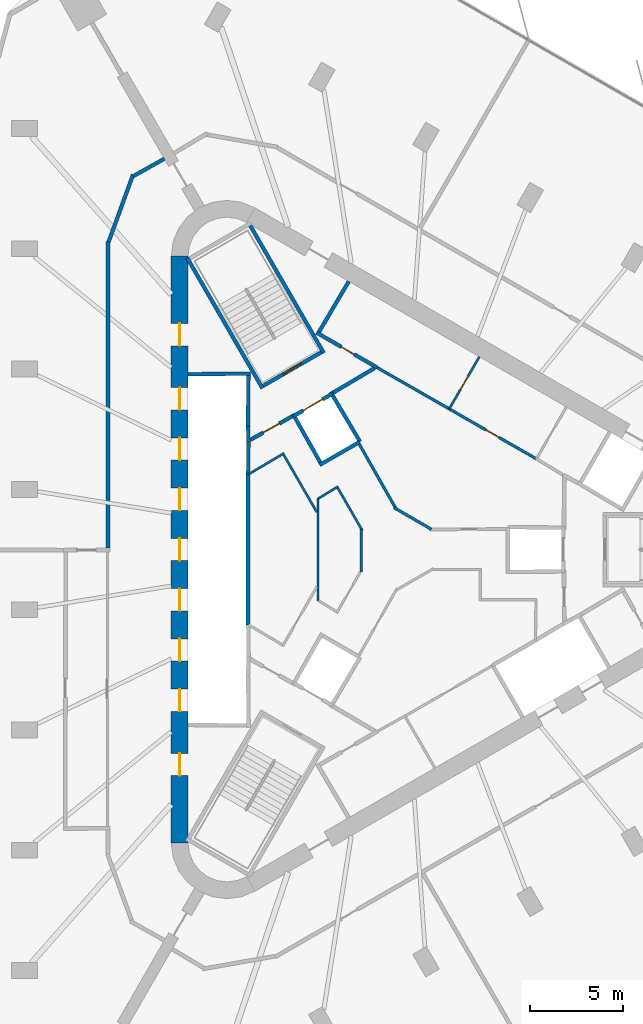
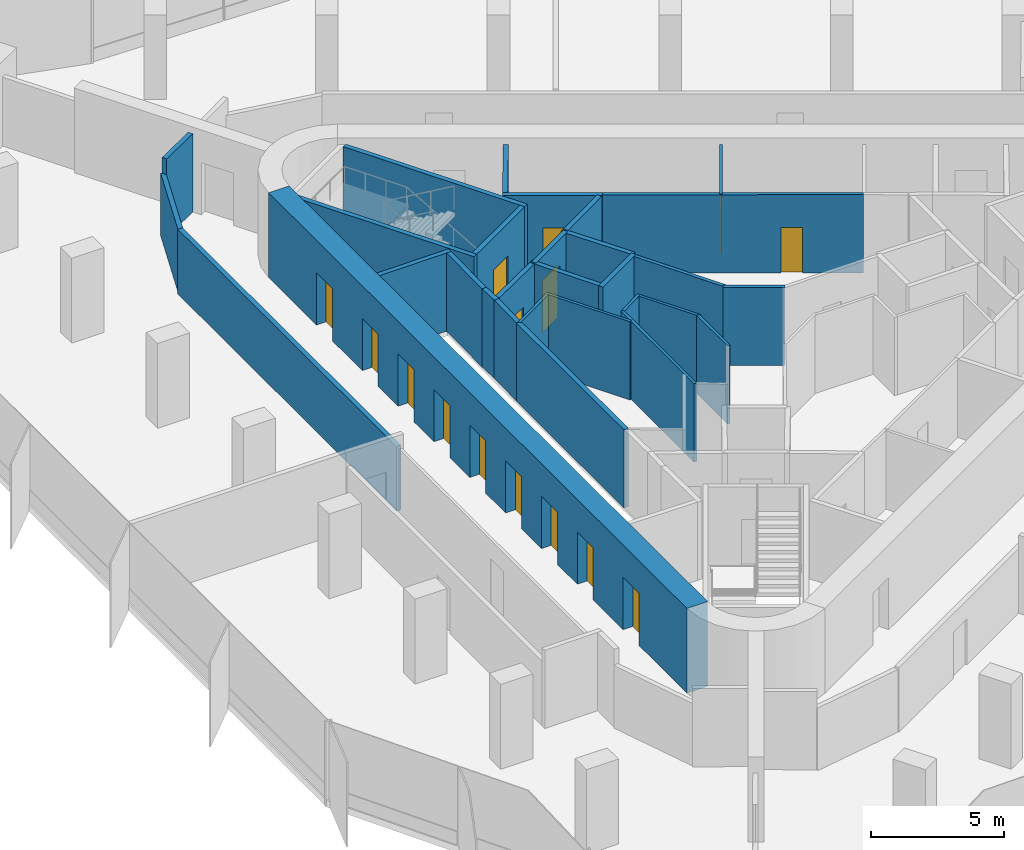
# One storey, part 9 of 12: 30 walls, 15 doors, 15 openings.
"""IFC4 building model written with IfcOpenShell, lengths in metres."""

from ifc_helpers import new_model, si_unit, direction, frame, frame_2d, origin, place, context, subcontext, project, spatial, rectangle, extrude, material, layer, layer_set, type_object, element, fill, save


model = new_model("IFC4")

# Units and contexts
model_context = context("Model", 3, precision=1e-05, world=origin(), true_north=direction((0.0, 1.0)))
body_context = subcontext(model_context, "Body", "Model", "MODEL_VIEW")
ifc_project = project(units=[si_unit("LENGTHUNIT", "METRE"), si_unit("AREAUNIT", "SQUARE_METRE"), si_unit("VOLUMEUNIT", "CUBIC_METRE"), si_unit("PLANEANGLEUNIT", "RADIAN"), si_unit("MASSUNIT", "GRAM", prefix="KILO")], contexts=[model_context])

# Site, building, storey
site_placement = place(None, origin())
site = spatial("IfcSite", under=ifc_project, at=site_placement, CompositionType="ELEMENT")
building_placement = place(site_placement, origin())
building = spatial("IfcBuilding", under=site, at=building_placement, Name="Tanit Gate Tower", CompositionType="ELEMENT")
storey_placement = place(building_placement, frame((0.0, 0.0, 341.60009765625)))
storey = spatial("IfcBuildingStorey", under=building, at=storey_placement, Name="L77", CompositionType="ELEMENT", Elevation=341.60009765625)

# Wall, openings, doors
ifc_material_1 = material(Name="Concrete C40/50", Category="concrete")
ifc_layer_1 = layer(ifc_material_1, 0.89990234375)
ifc_layer_set_1 = layer_set([ifc_layer_1], Name="CORE WALL 900 C40/50")
wall_type_1 = type_object("IfcWallType", Name="CORE WALL 900 C40/50", PredefinedType="SHEAR", material=ifc_layer_set_1)
wall_1_placement = place(storey_placement, frame((-11.64990234375, 15.76171875, 0.0), z_axis=(0.0, 0.0, 1.0), x_axis=(0.0, -1.0, 0.0)))
wall_1 = element("IfcWall", 1, at=wall_1_placement, inside=storey, type_object=wall_type_1, Name="CORE WALL", PredefinedType="SHEAR", context=body_context, shape_type="SweptSolid", body=[
    extrude(rectangle(XDim=31.5234375, YDim=0.89990234375, at=frame_2d((15.76171875, 0.0))), origin(), (0.0, 0.0, 1.0), 3.89990234375),
])
opening_1_placement = place(wall_1_placement, frame((7.061767578125, 0.0, 0.0)))
opening_1 = element("IfcOpeningElement", 2, at=opening_1_placement, cuts=wall_1, Name="Opening LDHL1-S21", PredefinedType="OPENING", context=body_context, shape_type="SweptSolid", body=[
    extrude(rectangle(XDim=1.199951171875, YDim=2.39990234375, at=frame_2d((0.60009765625, 1.199951171875))), frame((0.0, 0.4599609375, 0.0), z_axis=(0.0, -1.0, 0.0), x_axis=(1.0, 0.0, 0.0)), (0.0, 0.0, 1.0), 0.919921875),
])
opening_2_placement = place(wall_1_placement, frame((9.76171875, 0.0, 0.0)))
opening_2 = element("IfcOpeningElement", 3, at=opening_2_placement, cuts=wall_1, Name="Opening LDHL2-S21", PredefinedType="OPENING", context=body_context, shape_type="SweptSolid", body=[
    extrude(rectangle(XDim=1.199951171875, YDim=2.39990234375, at=frame_2d((0.60009765625, 1.199951171875))), frame((0.0, 0.4599609375, 0.0), z_axis=(0.0, -1.0, 0.0), x_axis=(1.0, 0.0, 0.0)), (0.0, 0.0, 1.0), 0.919921875),
])
opening_3_placement = place(wall_1_placement, frame((12.461669921875, 0.0, 0.0)))
opening_3 = element("IfcOpeningElement", 4, at=opening_3_placement, cuts=wall_1, Name="Opening LDHL3-S21", PredefinedType="OPENING", context=body_context, shape_type="SweptSolid", body=[
    extrude(rectangle(XDim=1.199951171875, YDim=2.39990234375, at=frame_2d((0.60009765625, 1.199951171875))), frame((0.0, 0.4599609375, 0.0), z_axis=(0.0, -1.0, 0.0), x_axis=(1.0, 0.0, 0.0)), (0.0, 0.0, 1.0), 0.919921875),
])
opening_4_placement = place(wall_1_placement, frame((15.16162109375, 0.0, 0.0)))
opening_4 = element("IfcOpeningElement", 5, at=opening_4_placement, cuts=wall_1, Name="Opening LDHL4-S21", PredefinedType="OPENING", context=body_context, shape_type="SweptSolid", body=[
    extrude(rectangle(XDim=1.199951171875, YDim=2.39990234375, at=frame_2d((0.60009765625, 1.199951171875))), frame((0.0, 0.4599609375, 0.0), z_axis=(0.0, -1.0, 0.0), x_axis=(1.0, 0.0, 0.0)), (0.0, 0.0, 1.0), 0.919921875),
])
opening_5_placement = place(wall_1_placement, frame((17.86181640625, 0.0, 0.0)))
opening_5 = element("IfcOpeningElement", 6, at=opening_5_placement, cuts=wall_1, Name="Opening LDHL5-S21", PredefinedType="OPENING", context=body_context, shape_type="SweptSolid", body=[
    extrude(rectangle(XDim=1.199951171875, YDim=2.39990234375, at=frame_2d((0.60009765625, 1.199951171875))), frame((0.0, 0.4599609375, 0.0), z_axis=(0.0, -1.0, 0.0), x_axis=(1.0, 0.0, 0.0)), (0.0, 0.0, 1.0), 0.919921875),
])
opening_6_placement = place(wall_1_placement, frame((20.561767578125, 0.0, 0.0)))
opening_6 = element("IfcOpeningElement", 7, at=opening_6_placement, cuts=wall_1, Name="Opening LDHL6-S21", PredefinedType="OPENING", context=body_context, shape_type="SweptSolid", body=[
    extrude(rectangle(XDim=1.199951171875, YDim=2.39990234375, at=frame_2d((0.60009765625, 1.199951171875))), frame((0.0, 0.4599609375, 0.0), z_axis=(0.0, -1.0, 0.0), x_axis=(1.0, 0.0, 0.0)), (0.0, 0.0, 1.0), 0.919921875),
])
opening_7_placement = place(wall_1_placement, frame((23.26171875, 0.0, 0.0)))
opening_7 = element("IfcOpeningElement", 8, at=opening_7_placement, cuts=wall_1, Name="Opening LDHL7-S21", PredefinedType="OPENING", context=body_context, shape_type="SweptSolid", body=[
    extrude(rectangle(XDim=1.199951171875, YDim=2.39990234375, at=frame_2d((0.60009765625, 1.199951171875))), frame((0.0, 0.4599609375, 0.0), z_axis=(0.0, -1.0, 0.0), x_axis=(1.0, 0.0, 0.0)), (0.0, 0.0, 1.0), 0.919921875),
])
opening_8_placement = place(wall_1_placement, frame((3.61181640625, 0.0, 0.0)))
opening_8 = element("IfcOpeningElement", 9, at=opening_8_placement, cuts=wall_1, Name="Opening F12-S21-FL2", PredefinedType="OPENING", context=body_context, shape_type="SweptSolid", body=[
    extrude(rectangle(XDim=1.199951171875, YDim=2.39990234375, at=frame_2d((0.60009765625, 1.199951171875))), frame((0.0, 0.4599609375, 0.0), z_axis=(0.0, -1.0, 0.0), x_axis=(1.0, 0.0, 0.0)), (0.0, 0.0, 1.0), 0.919921875),
])
opening_9_placement = place(wall_1_placement, frame((26.711669921875, 0.0, 0.0)))
opening_9 = element("IfcOpeningElement", 10, at=opening_9_placement, cuts=wall_1, Name="Opening F12-S21-S3", PredefinedType="OPENING", context=body_context, shape_type="SweptSolid", body=[
    extrude(rectangle(XDim=1.199951171875, YDim=2.39990234375, at=frame_2d((0.60009765625, 1.199951171875))), frame((0.0, 0.4599609375, 0.0), z_axis=(0.0, -1.0, 0.0), x_axis=(1.0, 0.0, 0.0)), (0.0, 0.0, 1.0), 0.919921875),
])
ifc_material_2 = material(Name="Fire-rated steel door leaf", Category="steel")
door_type_1 = type_object("IfcDoorType", Name="INT-DOOR-FIRE-LOBBY-1200", OperationType="NOTDEFINED", PredefinedType="USERDEFINED", material=ifc_material_2)
door_1_placement = place(opening_8_placement, origin())
door_1 = element("IfcDoor", 11, at=door_1_placement, inside=storey, type_object=door_type_1, Name="Door F12-S21-FL2", ObjectType="FIRE DOOR", OperationType="SINGLE_SWING_LEFT", OverallHeight=2.39990234375, OverallWidth=1.199951171875, PredefinedType="USERDEFINED", context=body_context, shape_type="SweptSolid", body=[
    extrude(rectangle(XDim=1.199951171875, YDim=2.39990234375, at=frame_2d((0.60009765625, 1.199951171875))), frame((0.0, 0.02490234375, 0.0), z_axis=(0.0, -1.0, 0.0), x_axis=(1.0, 0.0, 0.0)), (0.0, 0.0, 1.0), 0.050048828125),
])
fill(opening_8, door_1)
door_2_placement = place(opening_9_placement, origin())
door_2 = element("IfcDoor", 12, at=door_2_placement, inside=storey, type_object=door_type_1, Name="Door F12-S21-S3", ObjectType="FIRE DOOR", OperationType="SINGLE_SWING_LEFT", OverallHeight=2.39990234375, OverallWidth=1.199951171875, PredefinedType="USERDEFINED", context=body_context, shape_type="SweptSolid", body=[
    extrude(rectangle(XDim=1.199951171875, YDim=2.39990234375, at=frame_2d((0.60009765625, 1.199951171875))), frame((0.0, 0.02490234375, 0.0), z_axis=(0.0, -1.0, 0.0), x_axis=(1.0, 0.0, 0.0)), (0.0, 0.0, 1.0), 0.050048828125),
])
fill(opening_9, door_2)
ifc_material_3 = material(Name="Stainless steel sliding door leaf", Category="steel")
door_type_2 = type_object("IfcDoorType", Name="INT-DOOR-LANDING-1200", OperationType="NOTDEFINED", PredefinedType="USERDEFINED", material=ifc_material_3)
door_3_placement = place(opening_1_placement, origin())
door_3 = element("IfcDoor", 13, at=door_3_placement, inside=storey, type_object=door_type_2, Name="Door LDHL1-S21", ObjectType="LANDING DOOR", OperationType="SLIDING_TO_LEFT", OverallHeight=2.39990234375, OverallWidth=1.199951171875, PredefinedType="USERDEFINED", context=body_context, shape_type="SweptSolid", body=[
    extrude(rectangle(XDim=1.199951171875, YDim=2.39990234375, at=frame_2d((0.60009765625, 1.199951171875))), frame((0.0, 0.02490234375, 0.0), z_axis=(0.0, -1.0, 0.0), x_axis=(1.0, 0.0, 0.0)), (0.0, 0.0, 1.0), 0.050048828125),
])
fill(opening_1, door_3)
door_4_placement = place(opening_2_placement, origin())
door_4 = element("IfcDoor", 14, at=door_4_placement, inside=storey, type_object=door_type_2, Name="Door LDHL2-S21", ObjectType="LANDING DOOR", OperationType="SLIDING_TO_LEFT", OverallHeight=2.39990234375, OverallWidth=1.199951171875, PredefinedType="USERDEFINED", context=body_context, shape_type="SweptSolid", body=[
    extrude(rectangle(XDim=1.199951171875, YDim=2.39990234375, at=frame_2d((0.60009765625, 1.199951171875))), frame((0.0, 0.02490234375, 0.0), z_axis=(0.0, -1.0, 0.0), x_axis=(1.0, 0.0, 0.0)), (0.0, 0.0, 1.0), 0.050048828125),
])
fill(opening_2, door_4)
door_5_placement = place(opening_3_placement, origin())
door_5 = element("IfcDoor", 15, at=door_5_placement, inside=storey, type_object=door_type_2, Name="Door LDHL3-S21", ObjectType="LANDING DOOR", OperationType="SLIDING_TO_LEFT", OverallHeight=2.39990234375, OverallWidth=1.199951171875, PredefinedType="USERDEFINED", context=body_context, shape_type="SweptSolid", body=[
    extrude(rectangle(XDim=1.199951171875, YDim=2.39990234375, at=frame_2d((0.60009765625, 1.199951171875))), frame((0.0, 0.02490234375, 0.0), z_axis=(0.0, -1.0, 0.0), x_axis=(1.0, 0.0, 0.0)), (0.0, 0.0, 1.0), 0.050048828125),
])
fill(opening_3, door_5)
door_6_placement = place(opening_4_placement, origin())
door_6 = element("IfcDoor", 16, at=door_6_placement, inside=storey, type_object=door_type_2, Name="Door LDHL4-S21", ObjectType="LANDING DOOR", OperationType="SLIDING_TO_LEFT", OverallHeight=2.39990234375, OverallWidth=1.199951171875, PredefinedType="USERDEFINED", context=body_context, shape_type="SweptSolid", body=[
    extrude(rectangle(XDim=1.199951171875, YDim=2.39990234375, at=frame_2d((0.60009765625, 1.199951171875))), frame((0.0, 0.02490234375, 0.0), z_axis=(0.0, -1.0, 0.0), x_axis=(1.0, 0.0, 0.0)), (0.0, 0.0, 1.0), 0.050048828125),
])
fill(opening_4, door_6)
door_7_placement = place(opening_5_placement, origin())
door_7 = element("IfcDoor", 17, at=door_7_placement, inside=storey, type_object=door_type_2, Name="Door LDHL5-S21", ObjectType="LANDING DOOR", OperationType="SLIDING_TO_LEFT", OverallHeight=2.39990234375, OverallWidth=1.199951171875, PredefinedType="USERDEFINED", context=body_context, shape_type="SweptSolid", body=[
    extrude(rectangle(XDim=1.199951171875, YDim=2.39990234375, at=frame_2d((0.60009765625, 1.199951171875))), frame((0.0, 0.02490234375, 0.0), z_axis=(0.0, -1.0, 0.0), x_axis=(1.0, 0.0, 0.0)), (0.0, 0.0, 1.0), 0.050048828125),
])
fill(opening_5, door_7)
door_8_placement = place(opening_6_placement, origin())
door_8 = element("IfcDoor", 18, at=door_8_placement, inside=storey, type_object=door_type_2, Name="Door LDHL6-S21", ObjectType="LANDING DOOR", OperationType="SLIDING_TO_LEFT", OverallHeight=2.39990234375, OverallWidth=1.199951171875, PredefinedType="USERDEFINED", context=body_context, shape_type="SweptSolid", body=[
    extrude(rectangle(XDim=1.199951171875, YDim=2.39990234375, at=frame_2d((0.60009765625, 1.199951171875))), frame((0.0, 0.02490234375, 0.0), z_axis=(0.0, -1.0, 0.0), x_axis=(1.0, 0.0, 0.0)), (0.0, 0.0, 1.0), 0.050048828125),
])
fill(opening_6, door_8)
door_9_placement = place(opening_7_placement, origin())
door_9 = element("IfcDoor", 19, at=door_9_placement, inside=storey, type_object=door_type_2, Name="Door LDHL7-S21", ObjectType="LANDING DOOR", OperationType="SLIDING_TO_LEFT", OverallHeight=2.39990234375, OverallWidth=1.199951171875, PredefinedType="USERDEFINED", context=body_context, shape_type="SweptSolid", body=[
    extrude(rectangle(XDim=1.199951171875, YDim=2.39990234375, at=frame_2d((0.60009765625, 1.199951171875))), frame((0.0, 0.02490234375, 0.0), z_axis=(0.0, -1.0, 0.0), x_axis=(1.0, 0.0, 0.0)), (0.0, 0.0, 1.0), 0.050048828125),
])
fill(opening_7, door_9)

# Wall, opening, door
ifc_material_4 = material(Name="Fire-rated gypsum board partition")
ifc_layer_2 = layer(ifc_material_4, 0.199951171875)
ifc_layer_set_2 = layer_set([ifc_layer_2], Name="INT-WALL-COMPARTMENT")
wall_type_2 = type_object("IfcWallType", Name="INT-WALL-COMPARTMENT", PredefinedType="PARTITIONING", material=ifc_layer_set_2)
wall_2_placement = place(storey_placement, frame((-4.295654296875, 11.659912109375, 0.0), z_axis=(0.0, 0.0, 1.0), x_axis=(0.866027389382, -0.499996560828, 0.0)))
wall_2 = element("IfcWall", 20, at=wall_2_placement, inside=storey, type_object=wall_type_2, Name="Wall Compartment W049", PredefinedType="PARTITIONING", context=body_context, shape_type="SweptSolid", body=[
    extrude(rectangle(XDim=3.77783203125, YDim=0.199951171875, at=frame_2d((1.888916015625, 0.0))), origin(), (0.0, 0.0, 1.0), 3.599853515625),
])
opening_10_placement = place(wall_2_placement, frame((1.538818359375, 0.0, 0.0)))
opening_10 = element("IfcOpeningElement", 21, at=opening_10_placement, cuts=wall_2, Name="Opening R08-S21-16", PredefinedType="OPENING", context=body_context, shape_type="SweptSolid", body=[
    extrude(rectangle(XDim=0.800048828125, YDim=2.10009765625, at=frame_2d((0.39990234375, 1.050048828125))), frame((0.0, 0.10986328125, 0.0), z_axis=(0.0, -1.0, 0.0), x_axis=(1.0, 0.0, 0.0)), (0.0, 0.0, 1.0), 0.219970703125),
])
ifc_material_5 = material(Name="Timber door leaf", Category="wood")
door_type_3 = type_object("IfcDoorType", Name="INT-DOOR-RISER-800", OperationType="NOTDEFINED", PredefinedType="USERDEFINED", material=ifc_material_5)
door_10_placement = place(opening_10_placement, origin())
door_10 = element("IfcDoor", 22, at=door_10_placement, inside=storey, type_object=door_type_3, Name="Door R08-S21-16", ObjectType="FIRE DOOR", OperationType="SINGLE_SWING_RIGHT", OverallHeight=2.10009765625, OverallWidth=0.800048828125, PredefinedType="USERDEFINED", context=body_context, shape_type="SweptSolid", body=[
    extrude(rectangle(XDim=0.800048828125, YDim=2.10009765625, at=frame_2d((0.39990234375, 1.050048828125))), frame((0.0, 0.02490234375, 0.0), z_axis=(0.0, -1.0, 0.0), x_axis=(1.0, 0.0, 0.0)), (0.0, 0.0, 1.0), 0.050048828125),
])
fill(opening_10, door_10)

# Walls
wall_3_placement = place(storey_placement, frame((-2.557861328125, 14.409423828125, 0.0), z_axis=(0.0, 0.0, 1.0), x_axis=(-0.508018930956, -0.861345903683, 0.0)))
element("IfcWall", 23, at=wall_3_placement, inside=storey, type_object=wall_type_2, Name="Wall Compartment W050", PredefinedType="PARTITIONING", context=body_context, shape_type="SweptSolid", body=[
    extrude(rectangle(XDim=3.150146484375, YDim=0.199951171875, at=frame_2d((1.5751953125, 0.0))), origin(), (0.0, 0.0, 1.0), 3.599853515625),
])
wall_4_placement = place(storey_placement, frame((-1.1787109375, 9.744873046875, 0.0), z_axis=(0.0, 0.0, 1.0), x_axis=(-0.860630814782, -0.509229418482, 0.0)))
element("IfcWall", 24, at=wall_4_placement, inside=storey, type_object=wall_type_2, Name="Wall Compartment W061", PredefinedType="PARTITIONING", context=body_context, shape_type="SweptSolid", body=[
    extrude(rectangle(XDim=2.581787109375, YDim=0.199951171875, at=frame_2d((1.291015625, 0.0))), origin(), (0.0, 0.0, 1.0), 3.599853515625),
])

# Wall, opening, door
wall_5_placement = place(storey_placement, frame((-5.600341796875, 7.16015625, 0.0), z_axis=(0.0, 0.0, 1.0), x_axis=(-0.871363259478, -0.490638431059, 0.0)))
wall_5 = element("IfcWall", 25, at=wall_5_placement, inside=storey, type_object=wall_type_2, Name="Wall Compartment W062", PredefinedType="PARTITIONING", context=body_context, shape_type="SweptSolid", body=[
    extrude(rectangle(XDim=2.5810546875, YDim=0.199951171875, at=frame_2d((1.29052734375, 0.0))), origin(), (0.0, 0.0, 1.0), 3.599853515625),
])
opening_11_placement = place(wall_5_placement, frame((0.79052734375, 0.0, 0.0)))
opening_11 = element("IfcOpeningElement", 26, at=opening_11_placement, cuts=wall_5, Name="Opening F10-S21-05", PredefinedType="OPENING", context=body_context, shape_type="SweptSolid", body=[
    extrude(rectangle(XDim=1.0, YDim=2.10009765625, at=frame_2d((0.5, 1.050048828125))), frame((0.0, 0.10986328125, 0.0), z_axis=(0.0, -1.0, 0.0), x_axis=(1.0, 0.0, 0.0)), (0.0, 0.0, 1.0), 0.219970703125),
])
ifc_material_6 = material(Name="Fire-rated steel door leaf", Category="steel")
door_type_4 = type_object("IfcDoorType", Name="INT-DOOR-FIRE-1000", OperationType="NOTDEFINED", PredefinedType="USERDEFINED", material=ifc_material_6)
door_11_placement = place(opening_11_placement, origin())
door_11 = element("IfcDoor", 27, at=door_11_placement, inside=storey, type_object=door_type_4, Name="Door F10-S21-05", ObjectType="FIRE DOOR", OperationType="SINGLE_SWING_LEFT", OverallHeight=2.10009765625, OverallWidth=1.0, PredefinedType="USERDEFINED", context=body_context, shape_type="SweptSolid", body=[
    extrude(rectangle(XDim=1.0, YDim=2.10009765625, at=frame_2d((0.5, 1.050048828125))), frame((0.0, 0.02490234375, 0.0), z_axis=(0.0, -1.0, 0.0), x_axis=(1.0, 0.0, 0.0)), (0.0, 0.0, 1.0), 0.050048828125),
])
fill(opening_11, door_11)

# Walls
wall_6_placement = place(storey_placement, frame((-15.5, 16.54052734375, 0.0), z_axis=(0.0, 0.0, 1.0), x_axis=(0.0, -1.0, 0.0)))
element("IfcWall", 28, at=wall_6_placement, inside=storey, type_object=wall_type_2, Name="Wall Compartment W091", PredefinedType="PARTITIONING", context=body_context, shape_type="SweptSolid", body=[
    extrude(rectangle(XDim=16.470458984375, YDim=0.199951171875, at=frame_2d((8.2353515625, 0.0))), origin(), (0.0, 0.0, 1.0), 2.969970703125),
])
wall_7_placement = place(storey_placement, frame((-14.15234375, 20.143310546875, 0.0), z_axis=(0.0, 0.0, 1.0), x_axis=(-0.342008467257, -0.939696870445, 0.0)))
element("IfcWall", 29, at=wall_7_placement, inside=storey, type_object=wall_type_2, Name="Wall Compartment W092", PredefinedType="PARTITIONING", context=body_context, shape_type="SweptSolid", body=[
    extrude(rectangle(XDim=3.840576171875, YDim=0.199951171875, at=frame_2d((1.92041015625, 0.0))), origin(), (0.0, 0.0, 1.0), 2.8798828125),
])
wall_8_placement = place(storey_placement, frame((-12.469970703125, 20.99853515625, 0.0), z_axis=(0.0, 0.0, 1.0), x_axis=(-0.872542788959, -0.488537697046, 0.0)))
element("IfcWall", 30, at=wall_8_placement, inside=storey, type_object=wall_type_2, Name="Wall Compartment W093", PredefinedType="PARTITIONING", context=body_context, shape_type="SweptSolid", body=[
    extrude(rectangle(XDim=1.924560546875, YDim=0.199951171875, at=frame_2d((0.96240234375, 0.0))), origin(), (0.0, 0.0, 1.0), 3.599853515625),
])

# Wall, opening, door
ifc_material_7 = material(Name="Gypsum board partition")
ifc_layer_3 = layer(ifc_material_7, 0.1201171875)
ifc_layer_set_3 = layer_set([ifc_layer_3], Name="INT-WALL-PARTITION")
wall_type_3 = type_object("IfcWallType", Name="INT-WALL-PARTITION", PredefinedType="PARTITIONING", material=ifc_layer_set_3)
wall_9_placement = place(storey_placement, frame((2.831787109375, 7.544921875, 0.0), z_axis=(0.0, 0.0, 1.0), x_axis=(0.500017246033, 0.866015446554, 0.0)))
wall_9 = element("IfcWall", 31, at=wall_9_placement, inside=storey, type_object=wall_type_3, Name="Wall Partition W047", PredefinedType="PARTITIONING", context=body_context, shape_type="SweptSolid", body=[
    extrude(rectangle(XDim=3.25, YDim=0.1201171875, at=frame_2d((1.625, 0.0))), origin(), (0.0, 0.0, 1.0), 3.599853515625),
])
opening_12_placement = place(wall_9_placement, frame((1.22509765625, 0.0, 0.0)))
opening_12 = element("IfcOpeningElement", 32, at=opening_12_placement, cuts=wall_9, Name="Opening R08-S21-15", PredefinedType="OPENING", context=body_context, shape_type="SweptSolid", body=[
    extrude(rectangle(XDim=0.800048828125, YDim=2.10009765625, at=frame_2d((0.39990234375, 1.050048828125))), frame((0.0, 0.070068359375, 0.0), z_axis=(0.0, -1.0, 0.0), x_axis=(1.0, 0.0, 0.0)), (0.0, 0.0, 1.0), 0.14013671875),
])
door_12_placement = place(opening_12_placement, origin())
door_12 = element("IfcDoor", 33, at=door_12_placement, inside=storey, type_object=door_type_3, Name="Door R08-S21-15", ObjectType="FIRE DOOR", OperationType="SINGLE_SWING_LEFT", OverallHeight=2.10009765625, OverallWidth=0.800048828125, PredefinedType="USERDEFINED", context=body_context, shape_type="SweptSolid", body=[
    extrude(rectangle(XDim=0.800048828125, YDim=2.10009765625, at=frame_2d((0.39990234375, 1.050048828125))), frame((0.0, 0.02490234375, 0.0), z_axis=(0.0, -1.0, 0.0), x_axis=(1.0, 0.0, 0.0)), (0.0, 0.0, 1.0), 0.050048828125),
])
fill(opening_12, door_12)

# Walls
wall_10_placement = place(storey_placement, frame((-4.21875, -2.760498046875, 0.0), z_axis=(0.0, 0.0, 1.0), x_axis=(0.0, 1.0, 0.0)))
element("IfcWall", 34, at=wall_10_placement, inside=storey, type_object=wall_type_3, Name="Wall Partition W074", PredefinedType="PARTITIONING", context=body_context, shape_type="SweptSolid", body=[
    extrude(rectangle(XDim=5.52099609375, YDim=0.1201171875, at=frame_2d((2.760498046875, 0.0))), origin(), (0.0, 0.0, 1.0), 3.599853515625),
])
wall_11_placement = place(storey_placement, frame((-6.03662109375, 5.17578125, 0.0), z_axis=(0.0, 0.0, 1.0), x_axis=(-0.860106072674, -0.510115225953, 0.0)))
element("IfcWall", 35, at=wall_11_placement, inside=storey, type_object=wall_type_3, Name="Wall Partition W077", PredefinedType="PARTITIONING", context=body_context, shape_type="SweptSolid", body=[
    extrude(rectangle(XDim=2.224609375, YDim=0.1201171875, at=frame_2d((1.1123046875, 0.0))), origin(), (0.0, 0.0, 1.0), 3.599853515625),
])
wall_12_placement = place(storey_placement, frame((-4.27880859375, 2.01123046875, 0.0), z_axis=(0.0, 0.0, 1.0), x_axis=(-0.500027278734, 0.866009653827, 0.0)))
element("IfcWall", 36, at=wall_12_placement, inside=storey, type_object=wall_type_3, Name="Wall Partition W078", PredefinedType="PARTITIONING", context=body_context, shape_type="SweptSolid", body=[
    extrude(rectangle(XDim=3.558837890625, YDim=0.1201171875, at=frame_2d((1.779296875, 0.0))), origin(), (0.0, 0.0, 1.0), 3.599853515625),
])
wall_13_placement = place(storey_placement, frame((-3.1298828125, 3.390869140625, 0.0), z_axis=(0.0, 0.0, 1.0), x_axis=(-0.853228335638, -0.521537541567, 0.0)))
element("IfcWall", 37, at=wall_13_placement, inside=storey, type_object=wall_type_3, Name="Wall Partition W079", PredefinedType="PARTITIONING", context=body_context, shape_type="SweptSolid", body=[
    extrude(rectangle(XDim=1.240966796875, YDim=0.1201171875, at=frame_2d((0.62060546875, 0.0))), origin(), (0.0, 0.0, 1.0), 3.599853515625),
])
wall_14_placement = place(storey_placement, frame((-1.83154296875, 1.0224609375, 0.0), z_axis=(0.0, 0.0, 1.0), x_axis=(-0.500000102728, 0.866025344474, 0.0)))
element("IfcWall", 38, at=wall_14_placement, inside=storey, type_object=wall_type_3, Name="Wall Partition W080", PredefinedType="PARTITIONING", context=body_context, shape_type="SweptSolid", body=[
    extrude(rectangle(XDim=2.638671875, YDim=0.1201171875, at=frame_2d((1.3193359375, 0.0))), origin(), (0.0, 0.0, 1.0), 3.599853515625),
])
wall_15_placement = place(storey_placement, frame((-1.883544921875, -1.21630859375, 0.0), z_axis=(0.0, 0.0, 1.0), x_axis=(0.0, 1.0, 0.0)))
element("IfcWall", 39, at=wall_15_placement, inside=storey, type_object=wall_type_3, Name="Wall Partition W081", PredefinedType="PARTITIONING", context=body_context, shape_type="SweptSolid", body=[
    extrude(rectangle(XDim=2.310302734375, YDim=0.1201171875, at=frame_2d((1.1552734375, 0.0))), origin(), (0.0, 0.0, 1.0), 3.599853515625),
])

# Wall, opening, door
ifc_material_8 = material(Name="Fire-rated gypsum board partition")
ifc_layer_4 = layer(ifc_material_8, 0.14990234375)
ifc_layer_set_4 = layer_set([ifc_layer_4], Name="INT-WALL-RISER")
wall_type_4 = type_object("IfcWallType", Name="INT-WALL-RISER", PredefinedType="PLUMBINGWALL", material=ifc_layer_set_4)
wall_16_placement = place(storey_placement, frame((7.497314453125, 4.885986328125, 0.0), z_axis=(0.0, 0.0, 1.0), x_axis=(-0.867541725638, 0.497364407931, 0.0)))
wall_16 = element("IfcWall", 40, at=wall_16_placement, inside=storey, type_object=wall_type_4, Name="Wall Riser W048", PredefinedType="PLUMBINGWALL", context=body_context, shape_type="SweptSolid", body=[
    extrude(rectangle(XDim=9.822265625, YDim=0.14990234375, at=frame_2d((4.9111328125, 0.0))), origin(), (0.0, 0.0, 1.0), 3.599853515625),
])
opening_13_placement = place(wall_16_placement, frame((2.300048828125, 0.0, 0.0)))
opening_13 = element("IfcOpeningElement", 41, at=opening_13_placement, cuts=wall_16, Name="Opening R08-S21-20", PredefinedType="OPENING", context=body_context, shape_type="SweptSolid", body=[
    extrude(rectangle(XDim=0.800048828125, YDim=2.10009765625, at=frame_2d((0.39990234375, 1.050048828125))), frame((0.0, 0.0849609375, 0.0), z_axis=(0.0, -1.0, 0.0), x_axis=(1.0, 0.0, 0.0)), (0.0, 0.0, 1.0), 0.169921875),
])
door_13_placement = place(opening_13_placement, origin())
door_13 = element("IfcDoor", 42, at=door_13_placement, inside=storey, type_object=door_type_3, Name="Door R08-S21-20", ObjectType="FIRE DOOR", OperationType="SINGLE_SWING_LEFT", OverallHeight=2.10009765625, OverallWidth=0.800048828125, PredefinedType="USERDEFINED", context=body_context, shape_type="SweptSolid", body=[
    extrude(rectangle(XDim=0.800048828125, YDim=2.10009765625, at=frame_2d((0.39990234375, 1.050048828125))), frame((0.0, 0.02490234375, 0.0), z_axis=(0.0, -1.0, 0.0), x_axis=(1.0, 0.0, 0.0)), (0.0, 0.0, 1.0), 0.050048828125),
])
fill(opening_13, door_13)

# Walls
wall_17_placement = place(storey_placement, frame((-0.13232421875, 2.25146484375, 0.0), z_axis=(0.0, 0.0, 1.0), x_axis=(0.866028486751, -0.499994660107, 0.0)))
element("IfcWall", 43, at=wall_17_placement, inside=storey, type_object=wall_type_4, Name="Wall Riser W066", PredefinedType="PLUMBINGWALL", context=body_context, shape_type="SweptSolid", body=[
    extrude(rectangle(XDim=2.3291015625, YDim=0.14990234375, at=frame_2d((1.16455078125, 0.0))), origin(), (0.0, 0.0, 1.0), 3.599853515625),
])
wall_18_placement = place(storey_placement, frame((-1.994140625, 5.661376953125, 0.0), z_axis=(0.0, 0.0, 1.0), x_axis=(0.493780191404, -0.869586753911, 0.0)))
element("IfcWall", 44, at=wall_18_placement, inside=storey, type_object=wall_type_4, Name="Wall Riser W067", PredefinedType="PLUMBINGWALL", context=body_context, shape_type="SweptSolid", body=[
    extrude(rectangle(XDim=3.97119140625, YDim=0.14990234375, at=frame_2d((1.985595703125, 0.0))), origin(), (0.0, 0.0, 1.0), 3.599853515625),
])
ifc_material_9 = material(Name="Gypsum shaft wall system")
ifc_layer_5 = layer(ifc_material_9, 0.199951171875)
ifc_layer_set_5 = layer_set([ifc_layer_5], Name="INT-WALL-SHAFT")
wall_type_5 = type_object("IfcWallType", Name="INT-WALL-SHAFT", PredefinedType="PLUMBINGWALL", material=ifc_layer_set_5)
wall_19_placement = place(storey_placement, frame((-11.199951171875, 9.419921875, 0.0), z_axis=(0.0, 0.0, 1.0), x_axis=(0.999957167047, 0.009255488683, 0.0)))
element("IfcWall", 45, at=wall_19_placement, inside=storey, type_object=wall_type_5, Name="Wall Shaft W001", PredefinedType="PLUMBINGWALL", context=body_context, shape_type="SweptSolid", body=[
    extrude(rectangle(XDim=3.35009765625, YDim=0.199951171875, at=frame_2d((1.675048828125, 0.0))), origin(), (0.0, 0.0, 1.0), 3.599853515625),
])
wall_20_placement = place(storey_placement, frame((-7.951171875, 9.35009765625, 0.0), z_axis=(0.0, 0.0, 1.0), x_axis=(-0.011120469654, -0.999938165666, 0.0)))
element("IfcWall", 46, at=wall_20_placement, inside=storey, type_object=wall_type_5, Name="Wall Shaft W002", PredefinedType="PLUMBINGWALL", context=body_context, shape_type="SweptSolid", body=[
    extrude(rectangle(XDim=2.700439453125, YDim=0.199951171875, at=frame_2d((1.35009765625, 0.0))), origin(), (0.0, 0.0, 1.0), 3.599853515625),
])
wall_21_placement = place(storey_placement, frame((-7.97705078125, 6.650146484375, 0.0), z_axis=(0.0, 0.0, 1.0), x_axis=(0.030861509705, -0.999523670164, 0.0)))
element("IfcWall", 47, at=wall_21_placement, inside=storey, type_object=wall_type_5, Name="Wall Shaft W003", PredefinedType="PLUMBINGWALL", context=body_context, shape_type="SweptSolid", body=[
    extrude(rectangle(XDim=0.878173828125, YDim=0.199951171875, at=frame_2d((0.43896484375, 0.0))), origin(), (0.0, 0.0, 1.0), 3.599853515625),
])
wall_22_placement = place(storey_placement, frame((-7.94921875, 5.894775390625, 0.0), z_axis=(0.0, 0.0, 1.0), x_axis=(-0.012042535896, -0.999927486035, 0.0)))
element("IfcWall", 48, at=wall_22_placement, inside=storey, type_object=wall_type_5, Name="Wall Shaft W004", PredefinedType="PLUMBINGWALL", context=body_context, shape_type="SweptSolid", body=[
    extrude(rectangle(XDim=1.844970703125, YDim=0.199951171875, at=frame_2d((0.92236328125, 0.0))), origin(), (0.0, 0.0, 1.0), 3.599853515625),
])
wall_23_placement = place(storey_placement, frame((-7.97998046875, 4.050048828125, 0.0), z_axis=(0.0, 0.0, 1.0), x_axis=(0.0, -1.0, 0.0)))
element("IfcWall", 49, at=wall_23_placement, inside=storey, type_object=wall_type_5, Name="Wall Shaft W005", PredefinedType="PLUMBINGWALL", context=body_context, shape_type="SweptSolid", body=[
    extrude(rectangle(XDim=8.10009765625, YDim=0.199951171875, at=frame_2d((4.050048828125, 0.0))), origin(), (0.0, 0.0, 1.0), 3.599853515625),
])

# Wall, opening, door
wall_24_placement = place(storey_placement, frame((-5.524169921875, 7.168212890625, 0.0), z_axis=(0.0, 0.0, 1.0), x_axis=(0.866024647952, 0.500001309137, 0.0)))
wall_24 = element("IfcWall", 50, at=wall_24_placement, inside=storey, type_object=wall_type_5, Name="Wall Shaft W032", PredefinedType="PLUMBINGWALL", context=body_context, shape_type="SweptSolid", body=[
    extrude(rectangle(XDim=2.39990234375, YDim=0.199951171875, at=frame_2d((1.199951171875, 0.0))), origin(), (0.0, 0.0, 1.0), 3.599853515625),
])
opening_14_placement = place(wall_24_placement, frame((0.60009765625, 0.0, 0.0)))
opening_14 = element("IfcOpeningElement", 51, at=opening_14_placement, cuts=wall_24, Name="Opening LDFL2-L77", PredefinedType="OPENING", context=body_context, shape_type="SweptSolid", body=[
    extrude(rectangle(XDim=1.199951171875, YDim=2.39990234375, at=frame_2d((0.60009765625, 1.199951171875))), frame((0.0, 0.10986328125, 0.0), z_axis=(0.0, -1.0, 0.0), x_axis=(1.0, 0.0, 0.0)), (0.0, 0.0, 1.0), 0.219970703125),
])
door_14_placement = place(opening_14_placement, origin())
door_14 = element("IfcDoor", 52, at=door_14_placement, inside=storey, type_object=door_type_2, Name="Door LDFL2-L77", ObjectType="LANDING DOOR", OperationType="SLIDING_TO_LEFT", OverallHeight=2.39990234375, OverallWidth=1.199951171875, PredefinedType="USERDEFINED", context=body_context, shape_type="SweptSolid", body=[
    extrude(rectangle(XDim=1.199951171875, YDim=2.39990234375, at=frame_2d((0.60009765625, 1.199951171875))), frame((0.0, 0.02490234375, 0.0), z_axis=(0.0, -1.0, 0.0), x_axis=(1.0, 0.0, 0.0)), (0.0, 0.0, 1.0), 0.050048828125),
])
fill(opening_14, door_14)

# Walls
wall_25_placement = place(storey_placement, frame((-3.53759765625, 8.46533203125, 0.0), z_axis=(0.0, 0.0, 1.0), x_axis=(0.508647062354, -0.860975125052, 0.0)))
element("IfcWall", 53, at=wall_25_placement, inside=storey, type_object=wall_type_5, Name="Wall Shaft W033", PredefinedType="PLUMBINGWALL", context=body_context, shape_type="SweptSolid", body=[
    extrude(rectangle(XDim=3.10009765625, YDim=0.199951171875, at=frame_2d((1.550048828125, 0.0))), origin(), (0.0, 0.0, 1.0), 3.599853515625),
])
wall_26_placement = place(storey_placement, frame((-1.978515625, 5.785888671875, 0.0), z_axis=(0.0, 0.0, 1.0), x_axis=(-0.866016689309, -0.500015093611, 0.0)))
element("IfcWall", 54, at=wall_26_placement, inside=storey, type_object=wall_type_5, Name="Wall Shaft W034", PredefinedType="PLUMBINGWALL", context=body_context, shape_type="SweptSolid", body=[
    extrude(rectangle(XDim=2.4794921875, YDim=0.199951171875, at=frame_2d((1.23974609375, 0.0))), origin(), (0.0, 0.0, 1.0), 3.599853515625),
])
wall_27_placement = place(storey_placement, frame((-5.5625, 7.29638671875, 0.0), z_axis=(0.0, 0.0, 1.0), x_axis=(0.49134651263, -0.870964180966, 0.0)))
element("IfcWall", 55, at=wall_27_placement, inside=storey, type_object=wall_type_5, Name="Wall Shaft W035", PredefinedType="PLUMBINGWALL", context=body_context, shape_type="SweptSolid", body=[
    extrude(rectangle(XDim=3.000244140625, YDim=0.199951171875, at=frame_2d((1.5, 0.0))), origin(), (0.0, 0.0, 1.0), 3.599853515625),
])
ifc_material_10 = material(Name="Concrete C40/50", Category="concrete")
ifc_layer_6 = layer(ifc_material_10, 0.199951171875)
ifc_layer_set_6 = layer_set([ifc_layer_6], Name="INT-WALL-STAIR")
wall_type_6 = type_object("IfcWallType", Name="INT-WALL-STAIR", PredefinedType="SHEAR", material=ifc_layer_set_6)
wall_28_placement = place(storey_placement, frame((-11.245361328125, 15.677734375, -0.300048828125), z_axis=(0.0, 0.0, 1.0), x_axis=(0.499977274689, -0.866038523851, 0.0)))
element("IfcWall", 56, at=wall_28_placement, inside=storey, type_object=wall_type_6, Name="Wall Stair W028", PredefinedType="SHEAR", context=body_context, shape_type="SweptSolid", body=[
    extrude(rectangle(XDim=8.10009765625, YDim=0.199951171875, at=frame_2d((4.050048828125, 0.0))), origin(), (0.0, 0.0, 1.0), 3.89990234375),
])
wall_29_placement = place(storey_placement, frame((-7.8544921875, 17.404541015625, -0.300048828125), z_axis=(0.0, 0.0, 1.0), x_axis=(0.499997992926, -0.866026562566, 0.0)))
element("IfcWall", 57, at=wall_29_placement, inside=storey, type_object=wall_type_6, Name="Wall Stair W030", PredefinedType="SHEAR", context=body_context, shape_type="SweptSolid", body=[
    extrude(rectangle(XDim=7.89990234375, YDim=0.199951171875, at=frame_2d((3.949951171875, 0.0))), origin(), (0.0, 0.0, 1.0), 3.89990234375),
])

# Wall, opening, door
wall_30_placement = place(storey_placement, frame((-7.158935546875, 8.799560546875, -0.300048828125), z_axis=(0.0, 0.0, 1.0), x_axis=(0.866047807691, 0.499961193289, 0.0)))
wall_30 = element("IfcWall", 58, at=wall_30_placement, inside=storey, type_object=wall_type_6, Name="Wall Stair W031", PredefinedType="SHEAR", context=body_context, shape_type="SweptSolid", body=[
    extrude(rectangle(XDim=3.599853515625, YDim=0.199951171875, at=frame_2d((1.7998046875, 0.0))), origin(), (0.0, 0.0, 1.0), 3.89990234375),
])
opening_15_placement = place(wall_30_placement, frame((1.25, 0.0, 0.300048828125)))
opening_15 = element("IfcOpeningElement", 59, at=opening_15_placement, cuts=wall_30, Name="Opening S11-S21-04", PredefinedType="OPENING", context=body_context, shape_type="SweptSolid", body=[
    extrude(rectangle(XDim=1.10009765625, YDim=2.10009765625, at=frame_2d((0.550048828125, 1.050048828125))), frame((0.0, 0.10986328125, 0.0), z_axis=(0.0, -1.0, 0.0), x_axis=(1.0, 0.0, 0.0)), (0.0, 0.0, 1.0), 0.219970703125),
])
ifc_material_11 = material(Name="Timber door leaf", Category="wood")
door_type_5 = type_object("IfcDoorType", Name="INT-DOOR-STAIR-1100", OperationType="NOTDEFINED", PredefinedType="USERDEFINED", material=ifc_material_11)
door_15_placement = place(opening_15_placement, origin())
door_15 = element("IfcDoor", 60, at=door_15_placement, inside=storey, type_object=door_type_5, Name="Door S11-S21-04", ObjectType="FIRE DOOR", OperationType="SINGLE_SWING_LEFT", OverallHeight=2.10009765625, OverallWidth=1.10009765625, PredefinedType="USERDEFINED", context=body_context, shape_type="SweptSolid", body=[
    extrude(rectangle(XDim=1.10009765625, YDim=2.10009765625, at=frame_2d((0.550048828125, 1.050048828125))), frame((0.0, 0.02490234375, 0.0), z_axis=(0.0, -1.0, 0.0), x_axis=(1.0, 0.0, 0.0)), (0.0, 0.0, 1.0), 0.050048828125),
])
fill(opening_15, door_15)

save(model, "model.ifc")
